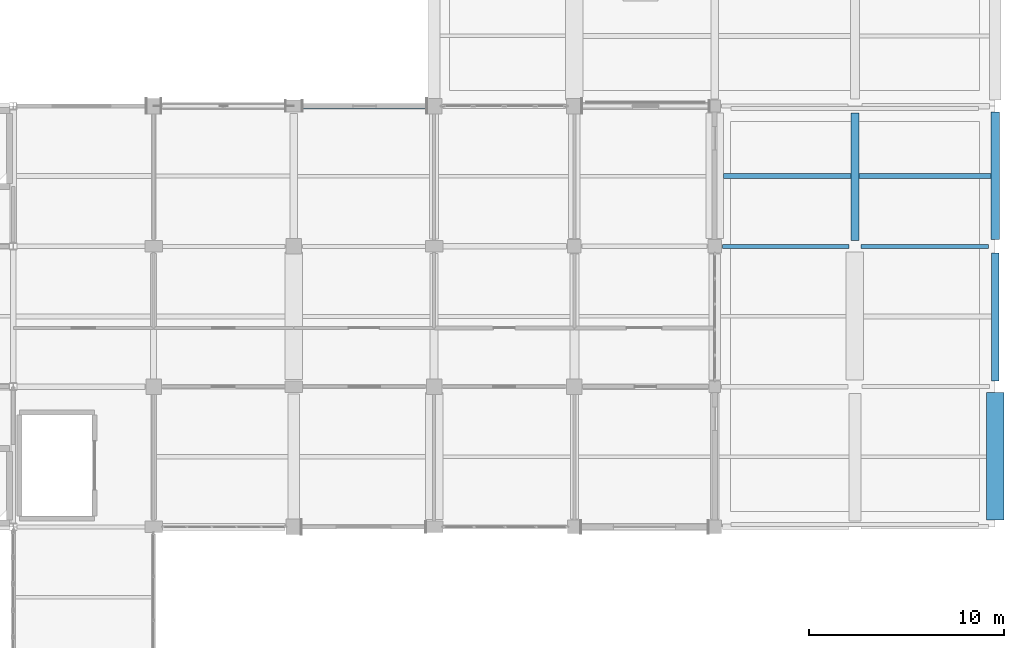
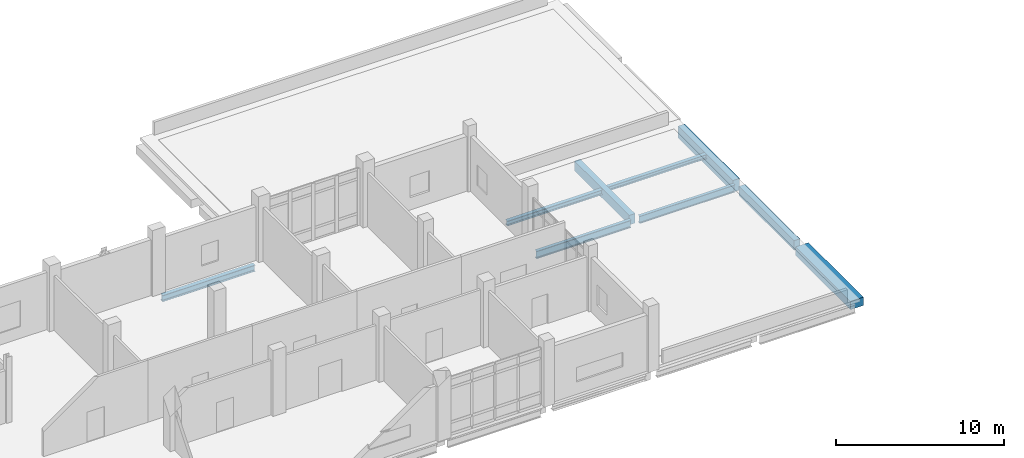
# One storey, part 115 of 186: 9 beams.
"""IFC4 building model written with IfcOpenShell, lengths in metres."""

from ifc_helpers import new_model, si_unit, direction, frame, origin, origin_2d, place, context, subcontext, project, spatial, rectangle, i_section, extrude, material, material_profile, profile_set, type_object, element, save


model = new_model("IFC4")

# Units and contexts
model_context = context("Model", 3, precision=1e-05, world=origin(), true_north=direction((0.0, 1.0)))
body_context = subcontext(model_context, "Body", "Model", "MODEL_VIEW")
ifc_project = project(units=[si_unit("LENGTHUNIT", "METRE"), si_unit("AREAUNIT", "SQUARE_METRE"), si_unit("VOLUMEUNIT", "CUBIC_METRE"), si_unit("PLANEANGLEUNIT", "RADIAN"), si_unit("MASSUNIT", "GRAM", prefix="KILO")], contexts=[model_context])

# Site, building, storey
site_placement = place(None, origin())
site = spatial("IfcSite", under=ifc_project, at=site_placement, CompositionType="ELEMENT")
building_placement = place(site_placement, origin())
building = spatial("IfcBuilding", under=site, at=building_placement, Name="Calvrana Isthmian Art Gallery", CompositionType="ELEMENT")
storey_placement = place(building_placement, frame((0.0, 0.0, 5.39990234375)))
storey = spatial("IfcBuildingStorey", under=building, at=storey_placement, Name="L01", CompositionType="ELEMENT", Elevation=5.39990234375)

# Beams
ifc_material_1 = material(Name="Steel ASTM A992 Gr 50", Category="steel")
ifc_material_profile_1 = material_profile(ifc_material_1, i_section(OverallWidth=0.279052734375, OverallDepth=0.4619140625, WebThickness=0.0107421875, FlangeThickness=0.017333984375, FilletRadius=0.02001953125, at=origin_2d()), Name="W18X76")
ifc_profile_set_1 = profile_set([ifc_material_profile_1], Name="Steel ASTM A992 Gr 50")
beam_type_1 = type_object("IfcBeamType", Name="BM-G-W18X76", PredefinedType="BEAM", material=ifc_profile_set_1)
beam_1_placement = place(storey_placement, frame((127.574951171875, 98.39990234375, -0.535888671875), z_axis=(1.0, 0.0, 0.0), x_axis=(0.0, 1.0, 0.0)))
element("IfcBeam", 1, at=beam_1_placement, inside=storey, type_object=beam_type_1, Name="Girder X L01 17-18/N", PredefinedType="BEAM", context=body_context, shape_type="SweptSolid", body=[
    extrude(i_section(OverallWidth=0.279052734375, OverallDepth=0.4619140625, WebThickness=0.0107421875, FlangeThickness=0.017333984375, FilletRadius=0.02001953125, at=origin_2d()), origin(), (0.0, 0.0, 1.0), 6.375),
])
ifc_material_profile_2 = material_profile(ifc_material_1, i_section(OverallWidth=0.208984375, OverallDepth=0.532958984375, WebThickness=0.01025390625, FlangeThickness=0.015625, FilletRadius=0.02099609375, at=origin_2d()), Name="W21X62")
ifc_profile_set_2 = profile_set([ifc_material_profile_2], Name="Steel ASTM A992 Gr 50")
beam_type_2 = type_object("IfcBeamType", Name="BM-G-W21X62", PredefinedType="BEAM", material=ifc_profile_set_2)
beam_2_placement = place(storey_placement, frame((156.300048828125, 91.199951171875, -0.511474609375), z_axis=(1.0, 0.0, 0.0), x_axis=(0.0, 1.0, 0.0)))
element("IfcBeam", 2, at=beam_2_placement, inside=storey, type_object=beam_type_2, Name="Girder X L01 21-22/M", PredefinedType="BEAM", context=body_context, shape_type="SweptSolid", body=[
    extrude(i_section(OverallWidth=0.208984375, OverallDepth=0.532958984375, WebThickness=0.01025390625, FlangeThickness=0.015625, FilletRadius=0.02099609375, at=origin_2d()), origin(), (0.0, 0.0, 1.0), 6.550048828125),
])
ifc_material_profile_3 = material_profile(ifc_material_1, i_section(OverallWidth=0.214111328125, OverallDepth=0.549072265625, WebThickness=0.0146484375, FlangeThickness=0.023681640625, FilletRadius=0.02099609375, at=origin_2d()), Name="W21X93")
ifc_profile_set_3 = profile_set([ifc_material_profile_3], Name="Steel ASTM A992 Gr 50")
beam_type_3 = type_object("IfcBeamType", Name="BM-G-W21X93", PredefinedType="BEAM", material=ifc_profile_set_3)
beam_3_placement = place(storey_placement, frame((149.199951171875, 91.199951171875, -0.579345703125), z_axis=(1.0, 0.0, 0.0), x_axis=(0.0, 1.0, 0.0)))
element("IfcBeam", 3, at=beam_3_placement, inside=storey, type_object=beam_type_3, Name="Girder X L01 20-21/M", PredefinedType="BEAM", context=body_context, shape_type="SweptSolid", body=[
    extrude(i_section(OverallWidth=0.214111328125, OverallDepth=0.549072265625, WebThickness=0.0146484375, FlangeThickness=0.023681640625, FilletRadius=0.02099609375, at=origin_2d()), origin(), (0.0, 0.0, 1.0), 6.5),
])
ifc_material_profile_4 = material_profile(ifc_material_1, i_section(OverallWidth=0.25390625, OverallDepth=0.306884765625, WebThickness=0.0087890625, FlangeThickness=0.0146484375, FilletRadius=0.01611328125, at=origin_2d()), Name="W12X53")
ifc_profile_set_4 = profile_set([ifc_material_profile_4], Name="Steel ASTM A992 Gr 50")
beam_type_4 = type_object("IfcBeamType", Name="BM-J-W12X53", PredefinedType="JOIST", material=ifc_profile_set_4)
beam_4_placement = place(storey_placement, frame((156.199951171875, 94.800048828125, -0.3984375), z_axis=(1.0, 0.0, 0.0), x_axis=(0.0, 1.0, 0.0)))
element("IfcBeam", 4, at=beam_4_placement, inside=storey, type_object=beam_type_4, Name="Composite joist L01 bay 20-12", PredefinedType="JOIST", context=body_context, shape_type="SweptSolid", body=[
    extrude(i_section(OverallWidth=0.25390625, OverallDepth=0.306884765625, WebThickness=0.0087890625, FlangeThickness=0.0146484375, FilletRadius=0.01611328125, at=origin_2d()), origin(), (0.0, 0.0, 1.0), 6.775146484375),
])
ifc_material_profile_5 = material_profile(ifc_material_1, i_section(OverallWidth=0.25390625, OverallDepth=0.35302734375, WebThickness=0.009521484375, FlangeThickness=0.016357421875, FilletRadius=0.01806640625, at=origin_2d()), Name="W14X61")
ifc_profile_set_5 = profile_set([ifc_material_profile_5], Name="Steel ASTM A992 Gr 50")
beam_type_5 = type_object("IfcBeamType", Name="BM-J-W14X61", PredefinedType="JOIST", material=ifc_profile_set_5)
beam_5_placement = place(storey_placement, frame((149.25, 94.800048828125, -0.4814453125), z_axis=(1.0, 0.0, 0.0), x_axis=(0.0, 1.0, 0.0)))
element("IfcBeam", 5, at=beam_5_placement, inside=storey, type_object=beam_type_5, Name="Composite joist L01 bay 19-12", PredefinedType="JOIST", context=body_context, shape_type="SweptSolid", body=[
    extrude(i_section(OverallWidth=0.25390625, OverallDepth=0.35302734375, WebThickness=0.009521484375, FlangeThickness=0.016357421875, FilletRadius=0.01806640625, at=origin_2d()), origin(), (0.0, 0.0, 1.0), 6.550048828125),
])
ifc_material_2 = material(Name="Concrete C40/50", Category="concrete")
ifc_material_profile_6 = material_profile(ifc_material_2, rectangle(XDim=0.39990234375, YDim=0.699951171875, at=origin_2d()), Name="RC400X700")
ifc_profile_set_6 = profile_set([ifc_material_profile_6], Name="Concrete C40/50")
beam_type_6 = type_object("IfcBeamType", Name="BM-RC-400X700", PredefinedType="BEAM", material=ifc_profile_set_6)
for number, where, z_axis, x_axis, name in (
    (6, (156.0, 91.5, -0.594970703125), (0.0, 1.0, 0.0), (-1.0, 0.0, 0.0), "Girder Y L01 21/M-N"),
    (7, (163.199951171875, 84.300048828125, -0.594970703125), (0.0, 1.0, 0.0), (-1.0, 0.0, 0.0), "Girder Y L01 22/L-M"),
):
    element("IfcBeam", number, at=place(storey_placement, frame(where, z_axis=z_axis, x_axis=x_axis)), inside=storey, type_object=beam_type_6, Name=name, PredefinedType="BEAM", context=body_context, shape_type="SweptSolid", body=[
        extrude(rectangle(XDim=0.39990234375, YDim=0.699951171875, at=origin_2d()), origin(), (0.0, 0.0, 1.0), 6.550048828125),
    ])
ifc_material_profile_7 = material_profile(ifc_material_2, rectangle(XDim=0.449951171875, YDim=0.85009765625, at=origin_2d()), Name="RC450X850")
ifc_profile_set_7 = profile_set([ifc_material_profile_7], Name="Concrete C40/50")
beam_type_7 = type_object("IfcBeamType", Name="BM-RC-450X850", PredefinedType="BEAM", material=ifc_profile_set_7)
beam_6_placement = place(storey_placement, frame((163.199951171875, 91.550048828125, -0.669921875), z_axis=(0.0, 1.0, 0.0), x_axis=(-1.0, 0.0, 0.0)))
element("IfcBeam", 8, at=beam_6_placement, inside=storey, type_object=beam_type_7, Name="Girder Y L01 22/M-N", PredefinedType="BEAM", context=body_context, shape_type="SweptSolid", body=[
    extrude(rectangle(XDim=0.449951171875, YDim=0.85009765625, at=origin_2d()), origin(), (0.0, 0.0, 1.0), 6.550048828125),
])
ifc_material_profile_8 = material_profile(ifc_material_2, rectangle(XDim=0.89990234375, YDim=0.60009765625, at=origin_2d()), Name="RC900X600")
ifc_profile_set_8 = profile_set([ifc_material_profile_8], Name="Concrete C40/50")
beam_type_8 = type_object("IfcBeamType", Name="BM-RC-900X600", PredefinedType="BEAM", material=ifc_profile_set_8)
beam_7_placement = place(storey_placement, frame((163.199951171875, 77.14990234375, -0.544921875), z_axis=(0.0, 1.0, 0.0), x_axis=(-1.0, 0.0, 0.0)))
element("IfcBeam", 9, at=beam_7_placement, inside=storey, type_object=beam_type_8, Name="Girder Y L01 22/K-L", PredefinedType="BEAM", context=body_context, shape_type="SweptSolid", body=[
    extrude(rectangle(XDim=0.89990234375, YDim=0.60009765625, at=origin_2d()), origin(), (0.0, 0.0, 1.0), 6.550048828125),
])

save(model, "model.ifc")
